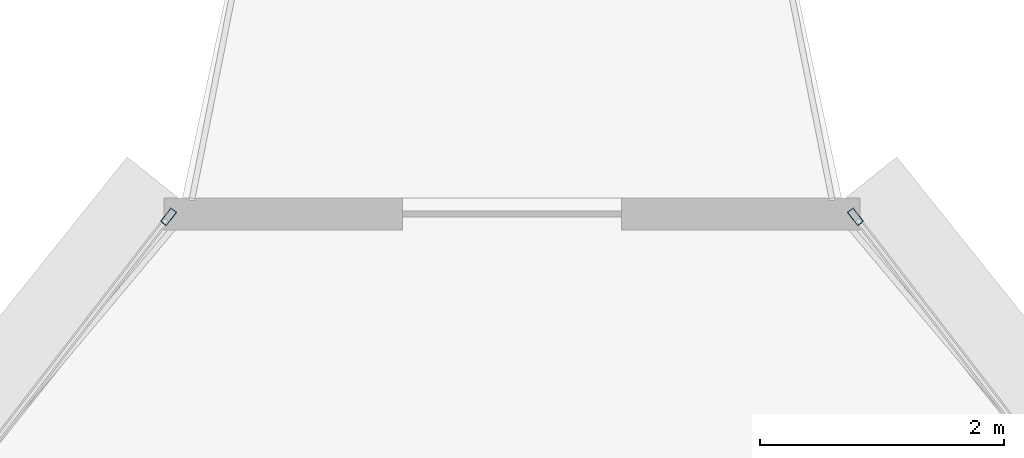
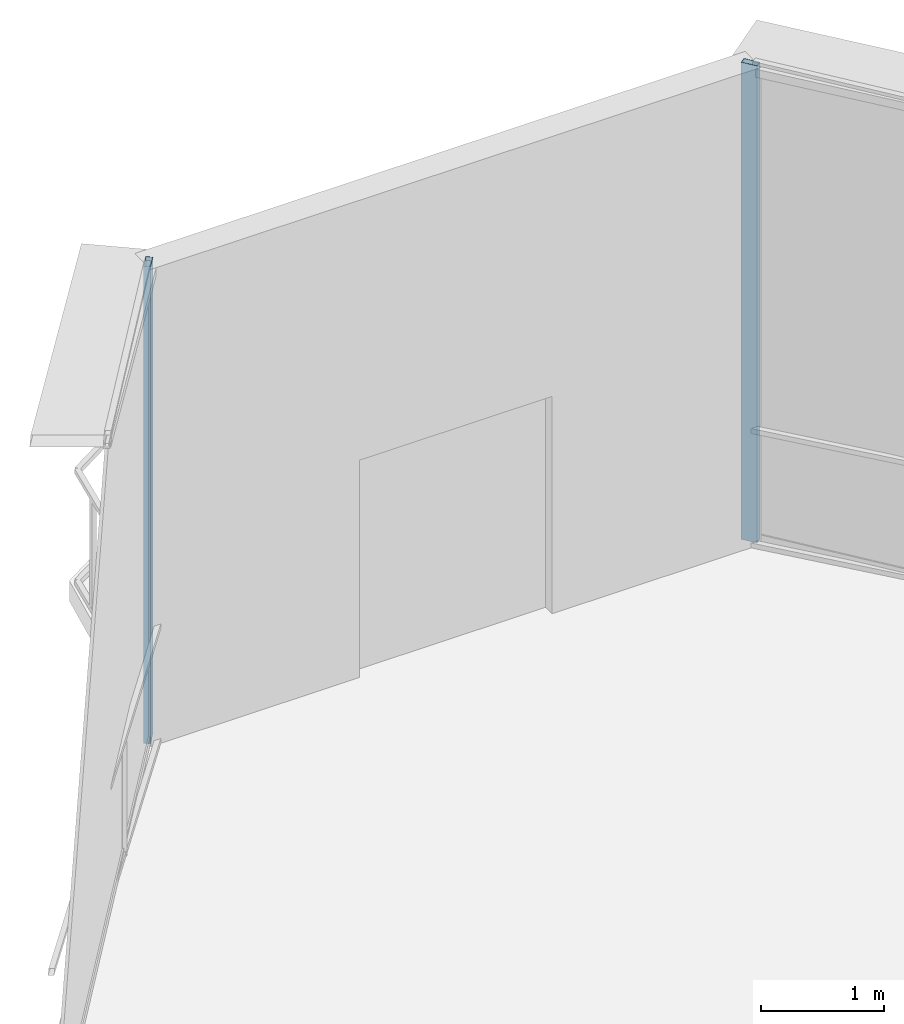
# One storey, part 21 of 29: 2 members, 2 elements without a shape of their own.
"""IFC4 building model written with IfcOpenShell, lengths in metres."""

from ifc_helpers import new_model, si_unit, direction, frame, origin, origin_2d, place, context, subcontext, project, spatial, hollow_rectangle, extrude, source, transform, mapped, material, layer, layer_set, material_profile, profile_set, type_object, element, aggregate, save


model = new_model("IFC4")

# Units and contexts
model_context = context("Model", 3, precision=1e-05, world=origin(), true_north=direction((0.0, 1.0)))
body_context = subcontext(model_context, "Body", "Model", "MODEL_VIEW")
ifc_project = project(units=[si_unit("LENGTHUNIT", "METRE"), si_unit("AREAUNIT", "SQUARE_METRE"), si_unit("VOLUMEUNIT", "CUBIC_METRE"), si_unit("PLANEANGLEUNIT", "RADIAN"), si_unit("MASSUNIT", "GRAM", prefix="KILO"), si_unit("THERMODYNAMICTEMPERATUREUNIT", "KELVIN"), si_unit("POWERUNIT", "WATT")], contexts=[model_context])

# Site, building, storey
site_placement = place(None, origin())
site = spatial("IfcSite", under=ifc_project, at=site_placement, CompositionType="ELEMENT")
building_placement = place(site_placement, origin())
building = spatial("IfcBuilding", under=site, at=building_placement, Name="Yunzhuo Pagoda Commons", CompositionType="ELEMENT")
storey_placement = place(building_placement, frame((0.0, 0.0, 366.760009765625)))
storey = spatial("IfcBuildingStorey", under=building, at=storey_placement, Name="L92", CompositionType="ELEMENT", Elevation=366.760009765625)

# Curtain wall, member
ifc_material = material(Name="Anodized aluminium 6063-T6", Category="aluminium")
ifc_layer = layer(ifc_material, 0.139892578125)
ifc_layer_set = layer_set([ifc_layer], Name="Anodized aluminium 6063-T6")
curtain_wall_type = type_object("IfcCurtainWallType", Name="CW-HI High-Zone Ribbon Curtain Wall", PredefinedType="NOTDEFINED", material=ifc_layer_set)
curtain_wall_1_placement = place(storey_placement, origin())
curtain_wall_1 = element("IfcCurtainWall", 1, at=curtain_wall_1_placement, inside=storey, type_object=curtain_wall_type, Name="L92 curtain wall CW-L92-F2B5", PredefinedType="NOTDEFINED")
ifc_material_profile = material_profile(ifc_material, hollow_rectangle(XDim=0.06005859375, YDim=0.139892578125, WallThickness=0.00341796875, at=origin_2d()), Name="Anodized aluminium 6063-T6")
ifc_profile_set = profile_set([ifc_material_profile], Name="Anodized aluminium 6063-T6")
member_type = type_object("IfcMemberType", Name="CW-HI-M Mullion RHS 140x60x3.5", PredefinedType="MULLION", material=ifc_profile_set)
shared_shape = source(origin(), body_context, "Body", "SweptSolid", [
    extrude(hollow_rectangle(XDim=0.06005859375, YDim=0.139892578125, WallThickness=0.00341796875, at=origin_2d()), origin(), (0.0, 0.0, 1.0), 4.72021484375),
])
member_1_placement = place(storey_placement, frame((50.818115234375, 68.75048828125, 0.0), z_axis=(0.0, 0.0, 1.0), x_axis=(-0.791792596017, -0.610790049765, 0.0)))
member_1 = element("IfcMember", 2, at=member_1_placement, type_object=member_type, Name="CW mullion 2", PredefinedType="MULLION", context=body_context, shape_type="MappedRepresentation", body=[
    mapped(shared_shape, transform((0.0, 0.0, 0.0), scale=1.0)),
])
aggregate(curtain_wall_1, [member_1])

curtain_wall_2_placement = place(storey_placement, origin())
curtain_wall_2 = element("IfcCurtainWall", 3, at=curtain_wall_2_placement, inside=storey, type_object=curtain_wall_type, Name="L92 curtain wall CW-L92-F3B1", PredefinedType="NOTDEFINED")
member_2_placement = place(storey_placement, frame((45.181884765625, 68.75048828125, 0.0), z_axis=(0.0, 0.0, 1.0), x_axis=(0.791792596017, -0.610790049765, 0.0)))
member_2 = element("IfcMember", 4, at=member_2_placement, type_object=member_type, Name="CW mullion 1", PredefinedType="MULLION", context=body_context, shape_type="MappedRepresentation", body=[
    mapped(shared_shape, transform((0.0, 0.0, 0.0), scale=1.0)),
])
aggregate(curtain_wall_2, [member_2])

save(model, "model.ifc")
